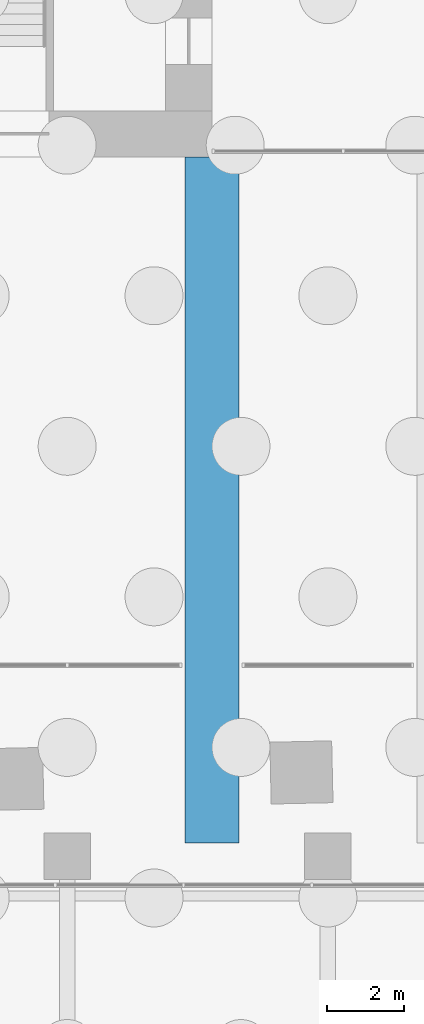
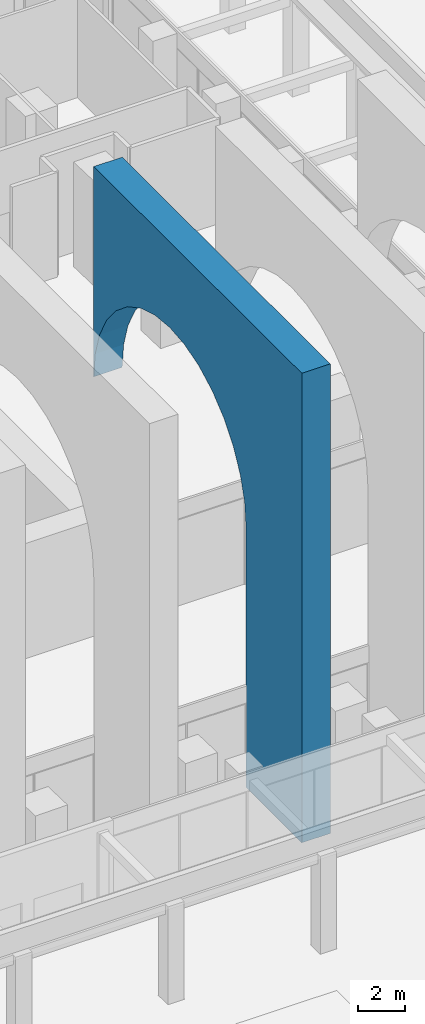
# One storey, part 19 of 46: 1 member.
"""IFC4 building model written with IfcOpenShell, lengths in metres."""

from ifc_helpers import new_model, si_unit, direction, frame, origin, place, context, subcontext, project, spatial, polyline, outline, extrude, material, material_profile, profile_set, type_object, element, save


model = new_model("IFC4")

# Units and contexts
model_context = context("Model", 3, precision=1e-05, world=origin(), true_north=direction((0.0, 1.0)))
body_context = subcontext(model_context, "Body", "Model", "MODEL_VIEW")
ifc_project = project(units=[si_unit("LENGTHUNIT", "METRE"), si_unit("AREAUNIT", "SQUARE_METRE"), si_unit("VOLUMEUNIT", "CUBIC_METRE"), si_unit("PLANEANGLEUNIT", "RADIAN"), si_unit("MASSUNIT", "GRAM", prefix="KILO")], contexts=[model_context])

# Site, building, storey
site_placement = place(None, origin())
site = spatial("IfcSite", under=ifc_project, at=site_placement, CompositionType="ELEMENT")
building_placement = place(site_placement, origin())
building = spatial("IfcBuilding", under=site, at=building_placement, Name="Mangrove Gate Tower", CompositionType="ELEMENT")
storey_placement = place(building_placement, origin())
storey = spatial("IfcBuildingStorey", under=building, at=storey_placement, Name="L00", CompositionType="ELEMENT", Elevation=0.0)

# Member
ifc_material = material(Name="Concrete C60/75", Category="concrete")
ifc_material_profile = material_profile(ifc_material, outline(polyline([(-8.875, 0.0), (-4.125, 0.0), (-4.125, 13.5), (-4.0, 14.76806640625), (-3.6298828125, 15.987060546875), (-3.030029296875, 17.111083984375), (-2.220947265625, 18.095947265625), (-1.236083984375, 18.905029296875), (-0.112060546875, 19.5048828125), (1.10693359375, 19.875), (2.375, 20.0), (3.64306640625, 19.875), (4.862060546875, 19.5048828125), (5.986083984375, 18.905029296875), (6.970947265625, 18.095947265625), (7.780029296875, 17.111083984375), (8.3798828125, 15.987060546875), (8.75, 14.76806640625), (8.875, 13.5), (8.875, 24.449951171875), (-8.875, 24.449951171875), (-8.875, 0.0)])))
ifc_profile_set = profile_set([ifc_material_profile], Name="Concrete C60/75")
member_type = type_object("IfcMemberType", Name="Arch frame ARCH FRAME 1400x17750 C60/75", PredefinedType="USERDEFINED", material=ifc_profile_set)
member_placement = place(storey_placement, frame((14.300048828125, -20.875, 0.0), z_axis=(1.0, 0.0, 0.0), x_axis=(0.0, 1.0, 0.0)))
element("IfcMember", 1, at=member_placement, inside=storey, type_object=member_type, Name="Arch frame XP15", ObjectType="ARCH FRAME", PredefinedType="USERDEFINED", context=body_context, shape_type="SweptSolid", body=[
    extrude(outline(polyline([(-8.875, 0.0), (-4.125, 0.0), (-4.125, 13.5), (-4.0, 14.76806640625), (-3.6298828125, 15.987060546875), (-3.030029296875, 17.111083984375), (-2.220947265625, 18.095947265625), (-1.236083984375, 18.905029296875), (-0.112060546875, 19.5048828125), (1.10693359375, 19.875), (2.375, 20.0), (3.64306640625, 19.875), (4.862060546875, 19.5048828125), (5.986083984375, 18.905029296875), (6.970947265625, 18.095947265625), (7.780029296875, 17.111083984375), (8.3798828125, 15.987060546875), (8.75, 14.76806640625), (8.875, 13.5), (8.875, 24.449951171875), (-8.875, 24.449951171875), (-8.875, 0.0)])), origin(), (0.0, 0.0, 1.0), 1.39990234375),
])

save(model, "model.ifc")
